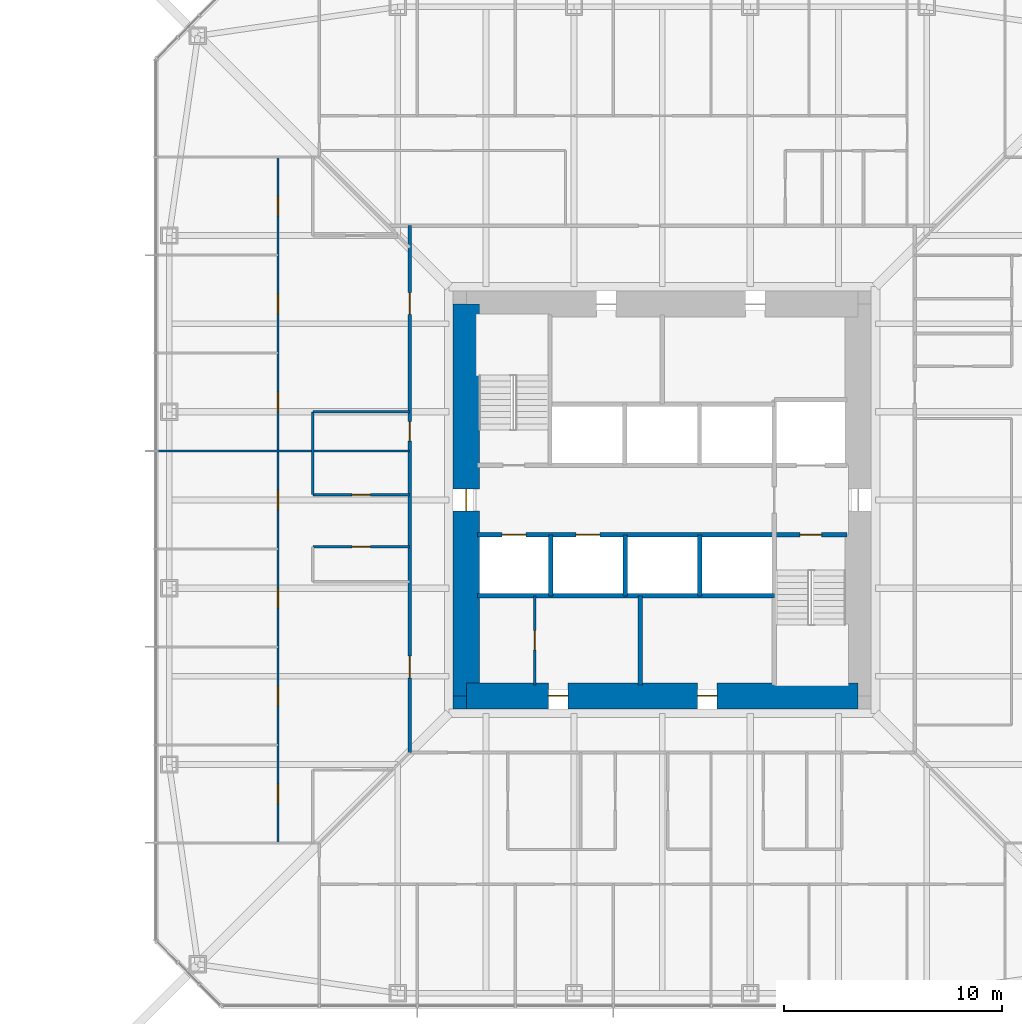
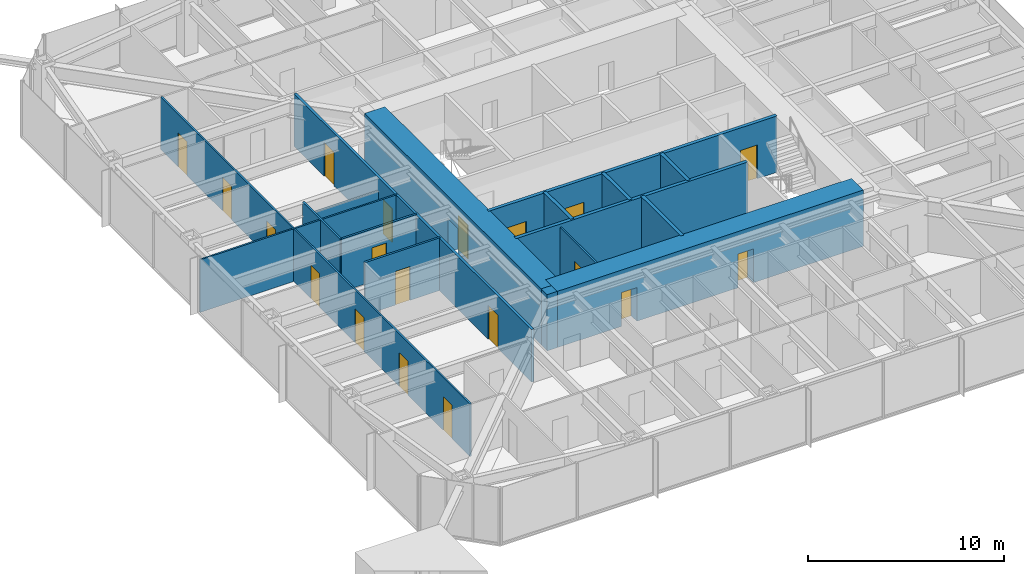
# One storey, part 15 of 26: 19 doors, 17 walls, 19 openings.
"""IFC4 building model written with IfcOpenShell, lengths in metres."""

import ifcopenshell
import ifcopenshell.guid

model = None  # the IFC model being written
_history = None  # IfcOwnerHistory: only IFC2X3 demands one
_inside = {}  # id of a spatial element -> (the spatial element, [elements in it])
_under = {}  # id of a project, library or spatial element -> (it, [spatial elements below it])
_declared = {}  # id of a project -> (the project, [libraries it declares])
_typed = {}  # id of a type object -> (the type object, [elements of that type])
_made_of = {}  # id of a material, layer set ... -> (it, [elements and type objects made of it])


def new_model(schema):
    """Start an empty IFC model of exactly this schema.

    Asked for "IFC4X3", IfcOpenShell would pick the latest addendum, in which some entities
    have other attributes; the version numbers below select the first issue.
    IFC2X3 requires an IfcOwnerHistory on every rooted entity: one is made here for all.
    """
    global model, _history
    if schema == "IFC4X3":
        model = ifcopenshell.file(schema_version=(4, 3, 0, 0))
    else:
        model = ifcopenshell.file(schema=schema)
    _inside.clear()
    _under.clear()
    _declared.clear()
    _typed.clear()
    _made_of.clear()
    _history = None
    if model.schema == "IFC2X3":
        org = make("IfcOrganization", Name="unknown")
        user = make(
            "IfcPersonAndOrganization",
            ThePerson=make("IfcPerson", FamilyName="unknown"),
            TheOrganization=org,
        )
        app = make(
            "IfcApplication",
            ApplicationDeveloper=org,
            Version="unknown",
            ApplicationFullName="unknown",
            ApplicationIdentifier="unknown",
        )
        _history = make(
            "IfcOwnerHistory",
            OwningUser=user,
            OwningApplication=app,
            ChangeAction="ADDED",
            CreationDate=0,
        )
    return model


def make(cls, **values):
    """One entity of the class cls with the attributes given. An attribute that is None is left unset."""
    return model.create_entity(
        cls, **{name: value for name, value in values.items() if value is not None}
    )


def rooted(cls, **values):
    """An entity with a GlobalId (a new one), such as an element, a storey or a relation."""
    return make(cls, GlobalId=ifcopenshell.guid.new(), OwnerHistory=_history, **values)


def si_unit(unit_type, name, prefix=None):
    """IfcSIUnit, for example si_unit("LENGTHUNIT", "METRE", prefix="MILLI")."""
    return make("IfcSIUnit", UnitType=unit_type, Prefix=prefix, Name=name)


def assignment(units):
    """IfcUnitAssignment: the units of a project."""
    return None if units is None else make("IfcUnitAssignment", Units=units)


def point(xyz):
    """IfcCartesianPoint."""
    return None if xyz is None else make("IfcCartesianPoint", Coordinates=xyz)


def direction(xyz):
    """IfcDirection."""
    return None if xyz is None else make("IfcDirection", DirectionRatios=xyz)


def frame(location, z_axis=None, x_axis=None):
    """IfcAxis2Placement3D, a coordinate frame: its origin and axes. An axis left out is left unset."""
    return make(
        "IfcAxis2Placement3D",
        Location=point(location),
        Axis=direction(z_axis),
        RefDirection=direction(x_axis),
    )


def frame_2d(location, x_axis=None):
    """IfcAxis2Placement2D, a coordinate frame in the plane: its origin and x axis."""
    return make(
        "IfcAxis2Placement2D", Location=point(location), RefDirection=direction(x_axis)
    )


def origin():
    """The frame at (0, 0, 0) with its axes left unset."""
    return frame((0.0, 0.0, 0.0))


def place(relative_to, where):
    """IfcLocalPlacement: puts the frame where relative to a parent placement (None: the world)."""
    return make(
        "IfcLocalPlacement", PlacementRelTo=relative_to, RelativePlacement=where
    )


def context(
    kind, dimensions, precision=None, world=None, true_north=None, identifier=None
):
    """IfcGeometricRepresentationContext, for example the 3D "Model" context."""
    return make(
        "IfcGeometricRepresentationContext",
        ContextIdentifier=identifier,
        ContextType=kind,
        CoordinateSpaceDimension=dimensions,
        Precision=precision,
        WorldCoordinateSystem=world,
        TrueNorth=true_north,
    )


def subcontext(parent, identifier, kind, view, scale=None):
    """IfcGeometricRepresentationSubContext, for example "Body" below "Model"."""
    return make(
        "IfcGeometricRepresentationSubContext",
        ContextIdentifier=identifier,
        ContextType=kind,
        ParentContext=parent,
        TargetScale=scale,
        TargetView=view,
    )


def project(units=None, contexts=None):
    """IfcProject with its units and contexts."""
    return rooted(
        "IfcProject",
        Name="project",
        RepresentationContexts=contexts,
        UnitsInContext=assignment(units),
    )


def spatial(cls, under=None, at=None, **own):
    """A site, building, storey or space (cls), placed at a placement, below another one or the project."""
    s = rooted(cls, ObjectPlacement=at, **own)
    if under is not None:
        _under.setdefault(under.id(), (under, []))[1].append(s)
    return s


def profile(cls, at=None, kind="AREA", **sizes):
    """A parametric profile (cls). Its sizes go by their IFC names, for example OverallWidth=200.0."""
    return make(cls, ProfileType=kind, Position=at, **sizes)


def rectangle(**sizes):
    """IfcRectangleProfileDef."""
    return profile("IfcRectangleProfileDef", **sizes)


def extrude(swept, where, along, depth):
    """IfcExtrudedAreaSolid: the profile swept, set in the frame where, extruded along a direction by depth."""
    return make(
        "IfcExtrudedAreaSolid",
        SweptArea=swept,
        Position=where,
        ExtrudedDirection=direction(along),
        Depth=depth,
    )


def shape(context_of_items, identifier, shape_type, items):
    """IfcShapeRepresentation: the items that make up one representation, for example the "Body"."""
    return make(
        "IfcShapeRepresentation",
        ContextOfItems=context_of_items,
        RepresentationIdentifier=identifier,
        RepresentationType=shape_type,
        Items=items,
    )


def material(Name=None, Category=None):
    """IfcMaterial."""
    return make("IfcMaterial", Name=Name, Category=Category)


def layer(
    of_material, thickness, ventilated=None, Name=None, Category=None, Priority=None
):
    """IfcMaterialLayer: one layer of a wall or slab, of a material (None: an air gap)."""
    return make(
        "IfcMaterialLayer",
        Material=of_material,
        LayerThickness=thickness,
        IsVentilated=ventilated,
        Name=Name,
        Category=Category,
        Priority=Priority,
    )


def layer_set(layers, Name=None):
    """IfcMaterialLayerSet."""
    return make("IfcMaterialLayerSet", MaterialLayers=layers, LayerSetName=Name)


def made_of(thing, what):
    """Note that an element or type object is made of a material, layer set ...; save() writes the relation."""
    if what is not None:
        _made_of.setdefault(what.id(), (what, []))[1].append(thing)
    return thing


def type_object(cls, material=None, **own):
    """A type object (cls), such as IfcWallType, which elements share."""
    return made_of(rooted(cls, **own), material)


def element(
    cls,
    number,
    at=None,
    inside=None,
    cuts=None,
    type_object=None,
    material=None,
    context=None,
    identifier="Body",
    shape_type=None,
    held_by="IfcProductDefinitionShape",
    body=None,
    shapes=None,
    **own,
):
    """One element of the class cls, such as IfcWall. Its Tag is "e" and its number.

    at: its placement. inside: the storey or other place that contains it. cuts: it is an
    opening in that element (IfcRelVoidsElement). A single representation is given by context,
    identifier, shape_type and body (its items); several are given by shapes. held_by: the class
    of the entity that holds the representations. save() writes the other relations.
    """
    e = rooted(cls, Tag="e%d" % number, ObjectPlacement=at, **own)
    if body is not None:
        shapes = [shape(context, identifier, shape_type, body)]
    if shapes is not None:
        e.Representation = make(held_by, Representations=shapes)
    if inside is not None:
        _inside.setdefault(inside.id(), (inside, []))[1].append(e)
    if cuts is not None:
        rooted(
            "IfcRelVoidsElement", RelatingBuildingElement=cuts, RelatedOpeningElement=e
        )
    if type_object is not None:
        _typed.setdefault(type_object.id(), (type_object, []))[1].append(e)
    return made_of(e, material)


def fill(opening, filler):
    """IfcRelFillsElement: the door or window that sits in an opening."""
    return rooted(
        "IfcRelFillsElement",
        RelatingOpeningElement=opening,
        RelatedBuildingElement=filler,
    )


def aggregate(whole, parts):
    """IfcRelAggregates: a whole, such as a stair, and the parts it consists of."""
    return rooted("IfcRelAggregates", RelatingObject=whole, RelatedObjects=parts)


def save(model, path):
    """Write the relations noted so far, then the file.

    IfcRelAggregates (storeys below a building ...), IfcRelContainedInSpatialStructure (elements
    in a storey), IfcRelDefinesByType, IfcRelAssociatesMaterial and IfcRelDeclares: one each for
    every whole, place, type object, material and project.
    """
    for whole, parts in _under.values():
        aggregate(whole, parts)
    for where, things in _inside.values():
        rooted(
            "IfcRelContainedInSpatialStructure",
            RelatedElements=things,
            RelatingStructure=where,
        )
    for kind, things in _typed.values():
        rooted("IfcRelDefinesByType", RelatedObjects=things, RelatingType=kind)
    for what, things in _made_of.values():
        rooted("IfcRelAssociatesMaterial", RelatedObjects=things, RelatingMaterial=what)
    for by, libraries in _declared.values():
        rooted("IfcRelDeclares", RelatingContext=by, RelatedDefinitions=libraries)
    model.write(path)


model = new_model("IFC4")

# Units and contexts
model_context = context("Model", 3, precision=1e-05, world=origin(), true_north=direction((0.0, 1.0)))
body_context = subcontext(model_context, "Body", "Model", "MODEL_VIEW")
ifc_project = project(units=[si_unit("LENGTHUNIT", "METRE"), si_unit("AREAUNIT", "SQUARE_METRE"), si_unit("VOLUMEUNIT", "CUBIC_METRE"), si_unit("PLANEANGLEUNIT", "RADIAN"), si_unit("MASSUNIT", "GRAM", prefix="KILO")], contexts=[model_context])

# Site, building, storey
site_placement = place(None, origin())
site = spatial("IfcSite", under=ifc_project, at=site_placement, CompositionType="ELEMENT")
building_placement = place(site_placement, origin())
building = spatial("IfcBuilding", under=site, at=building_placement, Name="Iwan Alto Co-Living Towers", CompositionType="ELEMENT")
storey_placement = place(building_placement, frame((0.0, 0.0, 57.0)))
storey = spatial("IfcBuildingStorey", under=building, at=storey_placement, Name="L15", CompositionType="ELEMENT", Elevation=57.0)

# Wall, openings, doors
ifc_material_1 = material(Name="Gypsum board")
ifc_layer_1 = layer(ifc_material_1, 0.02490234375, Name="Board", Category="Finish")
ifc_material_2 = material(Name="Steel ASTM A1003 ST33H cold-formed studs", Category="steel")
ifc_layer_2 = layer(ifc_material_2, 0.10009765625, Name="Studs", Category="Framing")
ifc_layer_3 = layer(ifc_material_1, 0.02490234375, Name="Board", Category="Finish")
ifc_layer_set_1 = layer_set([ifc_layer_1, ifc_layer_2, ifc_layer_3], Name="CORRIDOR WALL 150")
wall_type_1 = type_object("IfcWallType", Name="CORRIDOR WALL 150", PredefinedType="PARTITIONING", material=ifc_layer_set_1)
wall_1_placement = place(storey_placement, frame((-11.60009765625, -11.60009765625, 0.0), z_axis=(0.0, 0.0, 1.0), x_axis=(0.0, 1.0, 0.0)))
wall_1 = element("IfcWall", 1, at=wall_1_placement, inside=storey, type_object=wall_type_1, Name="Partition L15", PredefinedType="PARTITIONING", context=body_context, shape_type="SweptSolid", body=[
    extrude(rectangle(XDim=24.2001953125, YDim=0.14990234375, at=frame_2d((12.10009765625, 0.0))), origin(), (0.0, 0.0, 1.0), 3.27001953125),
])
opening_1_placement = place(wall_1_placement, frame((20.125, 0.0, 0.0)))
opening_1 = element("IfcOpeningElement", 2, at=opening_1_placement, cuts=wall_1, Name="Opening D3", PredefinedType="OPENING", context=body_context, shape_type="SweptSolid", body=[
    extrude(rectangle(XDim=1.0, YDim=2.10009765625, at=frame_2d((0.5, 1.050048828125))), frame((0.0, 0.0849609375, 0.0), z_axis=(0.0, -1.0, 0.0), x_axis=(1.0, 0.0, 0.0)), (0.0, 0.0, 1.0), 0.169921875),
])
opening_2_placement = place(wall_1_placement, frame((14.300048828125, 0.0, 0.0)))
opening_2 = element("IfcOpeningElement", 3, at=opening_2_placement, cuts=wall_1, Name="Opening D8", PredefinedType="OPENING", context=body_context, shape_type="SweptSolid", body=[
    extrude(rectangle(XDim=0.89990234375, YDim=2.10009765625, at=frame_2d((0.449951171875, 1.050048828125))), frame((0.0, 0.0849609375, 0.0), z_axis=(0.0, -1.0, 0.0), x_axis=(1.0, 0.0, 0.0)), (0.0, 0.0, 1.0), 0.169921875),
])
opening_3_placement = place(wall_1_placement, frame((3.425048828125, 0.0, 0.0)))
opening_3 = element("IfcOpeningElement", 4, at=opening_3_placement, cuts=wall_1, Name="Opening D3", PredefinedType="OPENING", context=body_context, shape_type="SweptSolid", body=[
    extrude(rectangle(XDim=1.0, YDim=2.10009765625, at=frame_2d((0.5, 1.050048828125))), frame((0.0, 0.0849609375, 0.0), z_axis=(0.0, -1.0, 0.0), x_axis=(1.0, 0.0, 0.0)), (0.0, 0.0, 1.0), 0.169921875),
])
ifc_material_3 = material(Name="Steel frame with timber leaf", Category="steel")
door_type_1 = type_object("IfcDoorType", Name="FLAT ENTRANCE DOOR FD30S 1000X2100", OperationType="SINGLE_SWING_LEFT", PredefinedType="DOOR", material=ifc_material_3)
door_1_placement = place(opening_1_placement, origin())
door_1 = element("IfcDoor", 5, at=door_1_placement, inside=storey, type_object=door_type_1, Name="Cluster lounge and shared kitchen door L15", OperationType="SINGLE_SWING_RIGHT", OverallHeight=2.10009765625, OverallWidth=1.0, PredefinedType="DOOR", context=body_context, shape_type="SweptSolid", body=[
    extrude(rectangle(XDim=1.0, YDim=2.10009765625, at=frame_2d((0.5, 1.050048828125))), frame((0.0, 0.02490234375, 0.0), z_axis=(0.0, -1.0, 0.0), x_axis=(1.0, 0.0, 0.0)), (0.0, 0.0, 1.0), 0.050048828125),
])
fill(opening_1, door_1)
door_2_placement = place(opening_3_placement, origin())
door_2 = element("IfcDoor", 6, at=door_2_placement, inside=storey, type_object=door_type_1, Name="Cluster lounge and shared kitchen door L15", OperationType="SINGLE_SWING_RIGHT", OverallHeight=2.10009765625, OverallWidth=1.0, PredefinedType="DOOR", context=body_context, shape_type="SweptSolid", body=[
    extrude(rectangle(XDim=1.0, YDim=2.10009765625, at=frame_2d((0.5, 1.050048828125))), frame((0.0, 0.02490234375, 0.0), z_axis=(0.0, -1.0, 0.0), x_axis=(1.0, 0.0, 0.0)), (0.0, 0.0, 1.0), 0.050048828125),
])
fill(opening_3, door_2)
ifc_material_4 = material(Name="Steel frame with timber leaf", Category="steel")
door_type_2 = type_object("IfcDoorType", Name="RISER DOOR FD120 900X2100", OperationType="SINGLE_SWING_LEFT", PredefinedType="DOOR", material=ifc_material_4)
door_3_placement = place(opening_2_placement, origin())
door_3 = element("IfcDoor", 7, at=door_3_placement, inside=storey, type_object=door_type_2, Name="Cleaner's cupboard door L15", OperationType="SINGLE_SWING_LEFT", OverallHeight=2.10009765625, OverallWidth=0.89990234375, PredefinedType="DOOR", context=body_context, shape_type="SweptSolid", body=[
    extrude(rectangle(XDim=0.89990234375, YDim=2.10009765625, at=frame_2d((0.449951171875, 1.050048828125))), frame((0.0, 0.02490234375, 0.0), z_axis=(0.0, -1.0, 0.0), x_axis=(1.0, 0.0, 0.0)), (0.0, 0.0, 1.0), 0.050048828125),
])
fill(opening_2, door_3)

# Walls
ifc_layer_4 = layer(ifc_material_1, 0.012451171875, Name="Board", Category="Finish")
ifc_layer_5 = layer(ifc_material_2, 0.074951171875, Name="Studs", Category="Framing")
ifc_layer_6 = layer(ifc_material_1, 0.012451171875, Name="Board", Category="Finish")
ifc_layer_set_2 = layer_set([ifc_layer_4, ifc_layer_5, ifc_layer_6], Name="PARTITION 100")
wall_type_2 = type_object("IfcWallType", Name="PARTITION 100", PredefinedType="PARTITIONING", material=ifc_layer_set_2)
wall_2_placement = place(storey_placement, frame((-23.18994140625, 2.25, 0.0), z_axis=(0.0, 0.0, 1.0), x_axis=(1.0, 0.0, 0.0)))
element("IfcWall", 8, at=wall_2_placement, inside=storey, type_object=wall_type_2, Name="Partition L15", PredefinedType="PARTITIONING", context=body_context, shape_type="SweptSolid", body=[
    extrude(rectangle(XDim=11.58984375, YDim=0.10009765625, at=frame_2d((5.794921875, 0.0))), origin(), (0.0, 0.0, 1.0), 3.27001953125),
])
wall_3_placement = place(storey_placement, frame((-16.050048828125, 4.050048828125, 0.0), z_axis=(0.0, 0.0, 1.0), x_axis=(1.0, 0.0, 0.0)))
element("IfcWall", 9, at=wall_3_placement, inside=storey, type_object=wall_type_2, Name="Partition L15", PredefinedType="PARTITIONING", context=body_context, shape_type="SweptSolid", body=[
    extrude(rectangle(XDim=4.449951171875, YDim=0.10009765625, at=frame_2d((2.22509765625, 0.0))), origin(), (0.0, 0.0, 1.0), 2.42919921875),
])

# Wall, opening, door
wall_4_placement = place(storey_placement, frame((-5.85009765625, -8.489990234375, 0.0), z_axis=(0.0, 0.0, 1.0), x_axis=(0.0, 1.0, 0.0)))
wall_4 = element("IfcWall", 10, at=wall_4_placement, inside=storey, type_object=wall_type_2, Name="Partition L15", PredefinedType="PARTITIONING", context=body_context, shape_type="SweptSolid", body=[
    extrude(rectangle(XDim=4.090087890625, YDim=0.10009765625, at=frame_2d((2.044921875, 0.0))), origin(), (0.0, 0.0, 1.0), 3.300048828125),
])
opening_4_placement = place(wall_4_placement, frame((1.594970703125, 0.0, 0.0)))
opening_4 = element("IfcOpeningElement", 11, at=opening_4_placement, cuts=wall_4, Name="Opening D16", PredefinedType="OPENING", context=body_context, shape_type="SweptSolid", body=[
    extrude(rectangle(XDim=0.89990234375, YDim=2.10009765625, at=frame_2d((0.449951171875, 1.050048828125))), frame((0.0, 0.06005859375, 0.0), z_axis=(0.0, -1.0, 0.0), x_axis=(1.0, 0.0, 0.0)), (0.0, 0.0, 1.0), 0.1201171875),
])
ifc_material_5 = material(Name="Timber leaf in steel frame", Category="steel")
door_type_3 = type_object("IfcDoorType", Name="CUPBOARD SLIDING DOOR 900X2100", OperationType="SLIDING_TO_LEFT", PredefinedType="DOOR", material=ifc_material_5)
door_4_placement = place(opening_4_placement, origin())
door_4 = element("IfcDoor", 12, at=door_4_placement, inside=storey, type_object=door_type_3, Name="Bulky waste store door L15", OperationType="SLIDING_TO_LEFT", OverallHeight=2.10009765625, OverallWidth=0.89990234375, PredefinedType="DOOR", context=body_context, shape_type="SweptSolid", body=[
    extrude(rectangle(XDim=0.89990234375, YDim=2.10009765625, at=frame_2d((0.449951171875, 1.050048828125))), frame((0.0, 0.02490234375, 0.0), z_axis=(0.0, -1.0, 0.0), x_axis=(1.0, 0.0, 0.0)), (0.0, 0.0, 1.0), 0.050048828125),
])
fill(opening_4, door_4)

# Wall, openings, doors
wall_5_placement = place(storey_placement, frame((-17.64990234375, -15.75, 0.0), z_axis=(0.0, 0.0, 1.0), x_axis=(0.0, 1.0, 0.0)))
wall_5 = element("IfcWall", 13, at=wall_5_placement, inside=storey, type_object=wall_type_2, Name="Partition L15", PredefinedType="PARTITIONING", context=body_context, shape_type="SweptSolid", body=[
    extrude(rectangle(XDim=31.5, YDim=0.10009765625, at=frame_2d((15.75, 0.0))), origin(), (0.0, 0.0, 1.0), 3.27001953125),
])
opening_5_placement = place(wall_5_placement, frame((28.800048828125, 0.0, 0.0)))
opening_5 = element("IfcOpeningElement", 14, at=opening_5_placement, cuts=wall_5, Name="Opening D1", PredefinedType="OPENING", context=body_context, shape_type="SweptSolid", body=[
    extrude(rectangle(XDim=0.89990234375, YDim=2.10009765625, at=frame_2d((0.449951171875, 1.050048828125))), frame((0.0, 0.06005859375, 0.0), z_axis=(0.0, -1.0, 0.0), x_axis=(1.0, 0.0, 0.0)), (0.0, 0.0, 1.0), 0.1201171875),
])
opening_6_placement = place(wall_5_placement, frame((24.300048828125, 0.0, 0.0)))
opening_6 = element("IfcOpeningElement", 15, at=opening_6_placement, cuts=wall_5, Name="Opening D1", PredefinedType="OPENING", context=body_context, shape_type="SweptSolid", body=[
    extrude(rectangle(XDim=0.89990234375, YDim=2.10009765625, at=frame_2d((0.449951171875, 1.050048828125))), frame((0.0, 0.06005859375, 0.0), z_axis=(0.0, -1.0, 0.0), x_axis=(1.0, 0.0, 0.0)), (0.0, 0.0, 1.0), 0.1201171875),
])
opening_7_placement = place(wall_5_placement, frame((19.800048828125, 0.0, 0.0)))
opening_7 = element("IfcOpeningElement", 16, at=opening_7_placement, cuts=wall_5, Name="Opening D1", PredefinedType="OPENING", context=body_context, shape_type="SweptSolid", body=[
    extrude(rectangle(XDim=0.89990234375, YDim=2.10009765625, at=frame_2d((0.449951171875, 1.050048828125))), frame((0.0, 0.06005859375, 0.0), z_axis=(0.0, -1.0, 0.0), x_axis=(1.0, 0.0, 0.0)), (0.0, 0.0, 1.0), 0.1201171875),
])
opening_8_placement = place(wall_5_placement, frame((15.300048828125, 0.0, 0.0)))
opening_8 = element("IfcOpeningElement", 17, at=opening_8_placement, cuts=wall_5, Name="Opening D1", PredefinedType="OPENING", context=body_context, shape_type="SweptSolid", body=[
    extrude(rectangle(XDim=0.89990234375, YDim=2.10009765625, at=frame_2d((0.449951171875, 1.050048828125))), frame((0.0, 0.06005859375, 0.0), z_axis=(0.0, -1.0, 0.0), x_axis=(1.0, 0.0, 0.0)), (0.0, 0.0, 1.0), 0.1201171875),
])
opening_9_placement = place(wall_5_placement, frame((10.800048828125, 0.0, 0.0)))
opening_9 = element("IfcOpeningElement", 18, at=opening_9_placement, cuts=wall_5, Name="Opening D1", PredefinedType="OPENING", context=body_context, shape_type="SweptSolid", body=[
    extrude(rectangle(XDim=0.89990234375, YDim=2.10009765625, at=frame_2d((0.449951171875, 1.050048828125))), frame((0.0, 0.06005859375, 0.0), z_axis=(0.0, -1.0, 0.0), x_axis=(1.0, 0.0, 0.0)), (0.0, 0.0, 1.0), 0.1201171875),
])
opening_10_placement = place(wall_5_placement, frame((6.300048828125, 0.0, 0.0)))
opening_10 = element("IfcOpeningElement", 19, at=opening_10_placement, cuts=wall_5, Name="Opening D1", PredefinedType="OPENING", context=body_context, shape_type="SweptSolid", body=[
    extrude(rectangle(XDim=0.89990234375, YDim=2.10009765625, at=frame_2d((0.449951171875, 1.050048828125))), frame((0.0, 0.06005859375, 0.0), z_axis=(0.0, -1.0, 0.0), x_axis=(1.0, 0.0, 0.0)), (0.0, 0.0, 1.0), 0.1201171875),
])
opening_11_placement = place(wall_5_placement, frame((1.800048828125, 0.0, 0.0)))
opening_11 = element("IfcOpeningElement", 20, at=opening_11_placement, cuts=wall_5, Name="Opening D1", PredefinedType="OPENING", context=body_context, shape_type="SweptSolid", body=[
    extrude(rectangle(XDim=0.89990234375, YDim=2.10009765625, at=frame_2d((0.449951171875, 1.050048828125))), frame((0.0, 0.06005859375, 0.0), z_axis=(0.0, -1.0, 0.0), x_axis=(1.0, 0.0, 0.0)), (0.0, 0.0, 1.0), 0.1201171875),
])
ifc_material_6 = material(Name="Timber leaf in steel frame", Category="steel")
door_type_4 = type_object("IfcDoorType", Name="BEDROOM DOOR 900X2100", OperationType="SINGLE_SWING_LEFT", PredefinedType="DOOR", material=ifc_material_6)
door_5_placement = place(opening_5_placement, frame((0.89990234375, 0.0, 0.0), z_axis=(0.0, 0.0, 1.0), x_axis=(-1.0, 0.0, 0.0)))
door_5 = element("IfcDoor", 21, at=door_5_placement, inside=storey, type_object=door_type_4, Name="Study bedroom door L15", OperationType="SINGLE_SWING_LEFT", OverallHeight=2.10009765625, OverallWidth=0.89990234375, PredefinedType="DOOR", context=body_context, shape_type="SweptSolid", body=[
    extrude(rectangle(XDim=0.89990234375, YDim=2.10009765625, at=frame_2d((0.449951171875, 1.050048828125))), frame((0.0, 0.02490234375, 0.0), z_axis=(0.0, -1.0, 0.0), x_axis=(1.0, 0.0, 0.0)), (0.0, 0.0, 1.0), 0.050048828125),
])
fill(opening_5, door_5)
door_6_placement = place(opening_6_placement, frame((0.89990234375, 0.0, 0.0), z_axis=(0.0, 0.0, 1.0), x_axis=(-1.0, 0.0, 0.0)))
door_6 = element("IfcDoor", 22, at=door_6_placement, inside=storey, type_object=door_type_4, Name="Study bedroom door L15", OperationType="SINGLE_SWING_RIGHT", OverallHeight=2.10009765625, OverallWidth=0.89990234375, PredefinedType="DOOR", context=body_context, shape_type="SweptSolid", body=[
    extrude(rectangle(XDim=0.89990234375, YDim=2.10009765625, at=frame_2d((0.449951171875, 1.050048828125))), frame((0.0, 0.02490234375, 0.0), z_axis=(0.0, -1.0, 0.0), x_axis=(1.0, 0.0, 0.0)), (0.0, 0.0, 1.0), 0.050048828125),
])
fill(opening_6, door_6)
door_7_placement = place(opening_7_placement, frame((0.89990234375, 0.0, 0.0), z_axis=(0.0, 0.0, 1.0), x_axis=(-1.0, 0.0, 0.0)))
door_7 = element("IfcDoor", 23, at=door_7_placement, inside=storey, type_object=door_type_4, Name="Study bedroom door L15", OperationType="SINGLE_SWING_RIGHT", OverallHeight=2.10009765625, OverallWidth=0.89990234375, PredefinedType="DOOR", context=body_context, shape_type="SweptSolid", body=[
    extrude(rectangle(XDim=0.89990234375, YDim=2.10009765625, at=frame_2d((0.449951171875, 1.050048828125))), frame((0.0, 0.02490234375, 0.0), z_axis=(0.0, -1.0, 0.0), x_axis=(1.0, 0.0, 0.0)), (0.0, 0.0, 1.0), 0.050048828125),
])
fill(opening_7, door_7)
door_8_placement = place(opening_8_placement, frame((0.89990234375, 0.0, 0.0), z_axis=(0.0, 0.0, 1.0), x_axis=(-1.0, 0.0, 0.0)))
door_8 = element("IfcDoor", 24, at=door_8_placement, inside=storey, type_object=door_type_4, Name="Study bedroom door L15", OperationType="SINGLE_SWING_LEFT", OverallHeight=2.10009765625, OverallWidth=0.89990234375, PredefinedType="DOOR", context=body_context, shape_type="SweptSolid", body=[
    extrude(rectangle(XDim=0.89990234375, YDim=2.10009765625, at=frame_2d((0.449951171875, 1.050048828125))), frame((0.0, 0.02490234375, 0.0), z_axis=(0.0, -1.0, 0.0), x_axis=(1.0, 0.0, 0.0)), (0.0, 0.0, 1.0), 0.050048828125),
])
fill(opening_8, door_8)
door_9_placement = place(opening_9_placement, frame((0.89990234375, 0.0, 0.0), z_axis=(0.0, 0.0, 1.0), x_axis=(-1.0, 0.0, 0.0)))
door_9 = element("IfcDoor", 25, at=door_9_placement, inside=storey, type_object=door_type_4, Name="Study bedroom door L15", OperationType="SINGLE_SWING_LEFT", OverallHeight=2.10009765625, OverallWidth=0.89990234375, PredefinedType="DOOR", context=body_context, shape_type="SweptSolid", body=[
    extrude(rectangle(XDim=0.89990234375, YDim=2.10009765625, at=frame_2d((0.449951171875, 1.050048828125))), frame((0.0, 0.02490234375, 0.0), z_axis=(0.0, -1.0, 0.0), x_axis=(1.0, 0.0, 0.0)), (0.0, 0.0, 1.0), 0.050048828125),
])
fill(opening_9, door_9)
door_10_placement = place(opening_10_placement, frame((0.89990234375, 0.0, 0.0), z_axis=(0.0, 0.0, 1.0), x_axis=(-1.0, 0.0, 0.0)))
door_10 = element("IfcDoor", 26, at=door_10_placement, inside=storey, type_object=door_type_4, Name="Study bedroom door L15", OperationType="SINGLE_SWING_RIGHT", OverallHeight=2.10009765625, OverallWidth=0.89990234375, PredefinedType="DOOR", context=body_context, shape_type="SweptSolid", body=[
    extrude(rectangle(XDim=0.89990234375, YDim=2.10009765625, at=frame_2d((0.449951171875, 1.050048828125))), frame((0.0, 0.02490234375, 0.0), z_axis=(0.0, -1.0, 0.0), x_axis=(1.0, 0.0, 0.0)), (0.0, 0.0, 1.0), 0.050048828125),
])
fill(opening_10, door_10)
door_11_placement = place(opening_11_placement, frame((0.89990234375, 0.0, 0.0), z_axis=(0.0, 0.0, 1.0), x_axis=(-1.0, 0.0, 0.0)))
door_11 = element("IfcDoor", 27, at=door_11_placement, inside=storey, type_object=door_type_4, Name="Study bedroom door L15", OperationType="SINGLE_SWING_RIGHT", OverallHeight=2.10009765625, OverallWidth=0.89990234375, PredefinedType="DOOR", context=body_context, shape_type="SweptSolid", body=[
    extrude(rectangle(XDim=0.89990234375, YDim=2.10009765625, at=frame_2d((0.449951171875, 1.050048828125))), frame((0.0, 0.02490234375, 0.0), z_axis=(0.0, -1.0, 0.0), x_axis=(1.0, 0.0, 0.0)), (0.0, 0.0, 1.0), 0.050048828125),
])
fill(opening_11, door_11)

# Wall
ifc_material_7 = material(Name="Concrete f'c 70 MPa", Category="concrete")
ifc_layer_7 = layer(ifc_material_7, 0.199951171875)
ifc_layer_set_3 = layer_set([ifc_layer_7], Name="SHAFT WALL 200")
wall_type_3 = type_object("IfcWallType", Name="SHAFT WALL 200", PredefinedType="SOLIDWALL", material=ifc_layer_set_3)
wall_6_placement = place(storey_placement, frame((-8.489990234375, -4.39990234375, 0.0), z_axis=(0.0, 0.0, 1.0), x_axis=(1.0, 0.0, 0.0)))
element("IfcWall", 28, at=wall_6_placement, inside=storey, type_object=wall_type_3, Name="Shaft wall L15", PredefinedType="SOLIDWALL", context=body_context, shape_type="SweptSolid", body=[
    extrude(rectangle(XDim=13.639892578125, YDim=0.199951171875, at=frame_2d((6.81982421875, 0.0))), origin(), (0.0, 0.0, 1.0), 3.5),
])

# Wall, openings, doors
wall_7_placement = place(storey_placement, frame((-8.489990234375, -1.60009765625, 0.0), z_axis=(0.0, 0.0, 1.0), x_axis=(1.0, 0.0, 0.0)))
wall_7 = element("IfcWall", 29, at=wall_7_placement, inside=storey, type_object=wall_type_3, Name="Shaft wall L15", PredefinedType="SOLIDWALL", context=body_context, shape_type="SweptSolid", body=[
    extrude(rectangle(XDim=16.97998046875, YDim=0.199951171875, at=frame_2d((8.489990234375, 0.0))), origin(), (0.0, 0.0, 1.0), 3.5),
])
opening_12_placement = place(wall_7_placement, frame((14.81005859375, 0.0, 0.0)))
opening_12 = element("IfcOpeningElement", 30, at=opening_12_placement, cuts=wall_7, Name="Opening D5", PredefinedType="OPENING", context=body_context, shape_type="SweptSolid", body=[
    extrude(rectangle(XDim=1.0, YDim=2.10009765625, at=frame_2d((0.5, 1.050048828125))), frame((0.0, 0.10986328125, 0.0), z_axis=(0.0, -1.0, 0.0), x_axis=(1.0, 0.0, 0.0)), (0.0, 0.0, 1.0), 0.219970703125),
])
opening_13_placement = place(wall_7_placement, frame((1.133056640625, 0.0, 0.0)))
opening_13 = element("IfcOpeningElement", 31, at=opening_13_placement, cuts=wall_7, Name="Opening LD", PredefinedType="OPENING", context=body_context, shape_type="SweptSolid", body=[
    extrude(rectangle(XDim=1.10009765625, YDim=2.10009765625, at=frame_2d((0.550048828125, 1.050048828125))), frame((0.0, 0.10986328125, 0.0), z_axis=(0.0, -1.0, 0.0), x_axis=(1.0, 0.0, 0.0)), (0.0, 0.0, 1.0), 0.219970703125),
])
opening_14_placement = place(wall_7_placement, frame((4.528076171875, 0.0, 0.0)))
opening_14 = element("IfcOpeningElement", 32, at=opening_14_placement, cuts=wall_7, Name="Opening LD", PredefinedType="OPENING", context=body_context, shape_type="SweptSolid", body=[
    extrude(rectangle(XDim=1.10009765625, YDim=2.10009765625, at=frame_2d((0.550048828125, 1.050048828125))), frame((0.0, 0.10986328125, 0.0), z_axis=(0.0, -1.0, 0.0), x_axis=(1.0, 0.0, 0.0)), (0.0, 0.0, 1.0), 0.219970703125),
])
ifc_material_8 = material(Name="Steel frame with timber leaf", Category="steel")
door_type_5 = type_object("IfcDoorType", Name="LIFT LANDING DOOR 1100X2100", OperationType="DOUBLE_DOOR_SLIDING", PredefinedType="DOOR", material=ifc_material_8)
door_12_placement = place(opening_13_placement, origin())
door_12 = element("IfcDoor", 33, at=door_12_placement, inside=storey, type_object=door_type_5, Name="Lift P1-1 landing door L15", OperationType="DOUBLE_DOOR_SLIDING", OverallHeight=2.10009765625, OverallWidth=1.10009765625, PredefinedType="DOOR", context=body_context, shape_type="SweptSolid", body=[
    extrude(rectangle(XDim=1.10009765625, YDim=2.10009765625, at=frame_2d((0.550048828125, 1.050048828125))), frame((0.0, 0.02490234375, 0.0), z_axis=(0.0, -1.0, 0.0), x_axis=(1.0, 0.0, 0.0)), (0.0, 0.0, 1.0), 0.050048828125),
])
fill(opening_13, door_12)
door_13_placement = place(opening_14_placement, origin())
door_13 = element("IfcDoor", 34, at=door_13_placement, inside=storey, type_object=door_type_5, Name="Lift P1-2 landing door L15", OperationType="DOUBLE_DOOR_SLIDING", OverallHeight=2.10009765625, OverallWidth=1.10009765625, PredefinedType="DOOR", context=body_context, shape_type="SweptSolid", body=[
    extrude(rectangle(XDim=1.10009765625, YDim=2.10009765625, at=frame_2d((0.550048828125, 1.050048828125))), frame((0.0, 0.02490234375, 0.0), z_axis=(0.0, -1.0, 0.0), x_axis=(1.0, 0.0, 0.0)), (0.0, 0.0, 1.0), 0.050048828125),
])
fill(opening_14, door_13)
ifc_material_9 = material(Name="Steel frame with timber leaf", Category="steel")
door_type_6 = type_object("IfcDoorType", Name="STAIR DOOR FD120S 1000X2100", OperationType="SINGLE_SWING_LEFT", PredefinedType="DOOR", material=ifc_material_9)
door_14_placement = place(opening_12_placement, frame((1.0, 0.0, 0.0), z_axis=(0.0, 0.0, 1.0), x_axis=(-1.0, 0.0, 0.0)))
door_14 = element("IfcDoor", 35, at=door_14_placement, inside=storey, type_object=door_type_6, Name="Stair S2 door L15", OperationType="SINGLE_SWING_RIGHT", OverallHeight=2.10009765625, OverallWidth=1.0, PredefinedType="DOOR", context=body_context, shape_type="SweptSolid", body=[
    extrude(rectangle(XDim=1.0, YDim=2.10009765625, at=frame_2d((0.5, 1.050048828125))), frame((0.0, 0.02490234375, 0.0), z_axis=(0.0, -1.0, 0.0), x_axis=(1.0, 0.0, 0.0)), (0.0, 0.0, 1.0), 0.050048828125),
])
fill(opening_12, door_14)

# Walls
wall_8_placement = place(storey_placement, frame((1.72509765625, -4.39990234375, 0.0), z_axis=(0.0, 0.0, 1.0), x_axis=(0.0, 1.0, 0.0)))
element("IfcWall", 36, at=wall_8_placement, inside=storey, type_object=wall_type_3, Name="Shaft wall L15", PredefinedType="SOLIDWALL", context=body_context, shape_type="SweptSolid", body=[
    extrude(rectangle(XDim=2.7998046875, YDim=0.199951171875, at=frame_2d((1.39990234375, 0.0))), origin(), (0.0, 0.0, 1.0), 3.5),
])
wall_9_placement = place(storey_placement, frame((-1.0, -8.489990234375, 0.0), z_axis=(0.0, 0.0, 1.0), x_axis=(0.0, 1.0, 0.0)))
element("IfcWall", 37, at=wall_9_placement, inside=storey, type_object=wall_type_3, Name="Shaft wall L15", PredefinedType="SOLIDWALL", context=body_context, shape_type="SweptSolid", body=[
    extrude(rectangle(XDim=4.090087890625, YDim=0.199951171875, at=frame_2d((2.044921875, 0.0))), origin(), (0.0, 0.0, 1.0), 3.5),
])
for number, where, z_axis, x_axis, name in (
    (38, (-1.699951171875, -4.39990234375, 0.0), (0.0, 0.0, 1.0), (0.0, 1.0, 0.0), "Shaft wall L15"),
    (39, (-5.125, -4.39990234375, 0.0), (0.0, 0.0, 1.0), (0.0, 1.0, 0.0), "Shaft wall L15"),
):
    element("IfcWall", number, at=place(storey_placement, frame(where, z_axis=z_axis, x_axis=x_axis)), inside=storey, type_object=wall_type_3, Name=name, PredefinedType="SOLIDWALL", context=body_context, shape_type="SweptSolid", body=[
        extrude(rectangle(XDim=2.7998046875, YDim=0.199951171875, at=frame_2d((1.39990234375, 0.0))), origin(), (0.0, 0.0, 1.0), 3.5),
    ])
ifc_material_10 = material(Name="Concrete f'c 70 MPa", Category="concrete")
ifc_layer_8 = layer(ifc_material_10, 0.60009765625)
ifc_layer_set_4 = layer_set([ifc_layer_8], Name="T1 CORE CORNER FILL 600")
wall_type_4 = type_object("IfcWallType", Name="T1 CORE CORNER FILL 600", PredefinedType="SOLIDWALL", material=ifc_layer_set_4)
wall_10_placement = place(storey_placement, frame((-9.60009765625, -9.300048828125, 0.0), z_axis=(0.0, 0.0, 1.0), x_axis=(1.0, 0.0, 0.0)))
element("IfcWall", 40, at=wall_10_placement, inside=storey, type_object=wall_type_4, Name="T1 core corner SW L15", PredefinedType="SOLIDWALL", context=body_context, shape_type="SweptSolid", body=[
    extrude(rectangle(XDim=0.60009765625, YDim=0.60009765625, at=frame_2d((0.300048828125, 0.0))), origin(), (0.0, 0.0, 1.0), 3.5),
])

# Wall, openings, doors
ifc_material_11 = material(Name="Concrete f'c 70 MPa", Category="concrete")
ifc_layer_9 = layer(ifc_material_11, 1.199951171875)
ifc_layer_set_5 = layer_set([ifc_layer_9], Name="T1 CORE WALL 1200")
wall_type_5 = type_object("IfcWallType", Name="T1 CORE WALL 1200", PredefinedType="SHEAR", material=ifc_layer_set_5)
wall_11_placement = place(storey_placement, frame((-9.0, -9.0, 0.0), z_axis=(0.0, 0.0, 1.0), x_axis=(1.0, 0.0, 0.0)))
wall_11 = element("IfcWall", 41, at=wall_11_placement, inside=storey, type_object=wall_type_5, Name="T1 core wall S L15", PredefinedType="SHEAR", context=body_context, shape_type="SweptSolid", body=[
    extrude(rectangle(XDim=18.0, YDim=1.199951171875, at=frame_2d((9.0, 0.0))), origin(), (0.0, 0.0, 1.0), 3.5),
])
opening_15_placement = place(wall_11_placement, frame((3.77490234375, 0.0, 0.0)))
opening_15 = element("IfcOpeningElement", 42, at=opening_15_placement, cuts=wall_11, Name="Opening D8", PredefinedType="OPENING", context=body_context, shape_type="SweptSolid", body=[
    extrude(rectangle(XDim=0.89990234375, YDim=2.10009765625, at=frame_2d((0.449951171875, 1.050048828125))), frame((0.0, 0.60986328125, 0.0), z_axis=(0.0, -1.0, 0.0), x_axis=(1.0, 0.0, 0.0)), (0.0, 0.0, 1.0), 1.219970703125),
])
opening_16_placement = place(wall_11_placement, frame((10.625, 0.0, 0.0)))
opening_16 = element("IfcOpeningElement", 43, at=opening_16_placement, cuts=wall_11, Name="Opening D8", PredefinedType="OPENING", context=body_context, shape_type="SweptSolid", body=[
    extrude(rectangle(XDim=0.89990234375, YDim=2.10009765625, at=frame_2d((0.449951171875, 1.050048828125))), frame((0.0, 0.60986328125, 0.0), z_axis=(0.0, -1.0, 0.0), x_axis=(1.0, 0.0, 0.0)), (0.0, 0.0, 1.0), 1.219970703125),
])
door_15_placement = place(opening_15_placement, origin())
door_15 = element("IfcDoor", 44, at=door_15_placement, inside=storey, type_object=door_type_2, Name="Refuse room core door L15", OperationType="SINGLE_SWING_LEFT", OverallHeight=2.10009765625, OverallWidth=0.89990234375, PredefinedType="DOOR", context=body_context, shape_type="SweptSolid", body=[
    extrude(rectangle(XDim=0.89990234375, YDim=2.10009765625, at=frame_2d((0.449951171875, 1.050048828125))), frame((0.0, 0.02490234375, 0.0), z_axis=(0.0, -1.0, 0.0), x_axis=(1.0, 0.0, 0.0)), (0.0, 0.0, 1.0), 0.050048828125),
])
fill(opening_15, door_15)
door_16_placement = place(opening_16_placement, origin())
door_16 = element("IfcDoor", 45, at=door_16_placement, inside=storey, type_object=door_type_2, Name="Telecom riser core door L15", OperationType="SINGLE_SWING_LEFT", OverallHeight=2.10009765625, OverallWidth=0.89990234375, PredefinedType="DOOR", context=body_context, shape_type="SweptSolid", body=[
    extrude(rectangle(XDim=0.89990234375, YDim=2.10009765625, at=frame_2d((0.449951171875, 1.050048828125))), frame((0.0, 0.02490234375, 0.0), z_axis=(0.0, -1.0, 0.0), x_axis=(1.0, 0.0, 0.0)), (0.0, 0.0, 1.0), 0.050048828125),
])
fill(opening_16, door_16)

# Wall, opening, door
wall_12_placement = place(storey_placement, frame((-9.0, 9.0, 0.0), z_axis=(0.0, 0.0, 1.0), x_axis=(0.0, -1.0, 0.0)))
wall_12 = element("IfcWall", 46, at=wall_12_placement, inside=storey, type_object=wall_type_5, Name="T1 core wall W L15", PredefinedType="SHEAR", context=body_context, shape_type="SweptSolid", body=[
    extrude(rectangle(XDim=18.0, YDim=1.199951171875, at=frame_2d((9.0, 0.0))), origin(), (0.0, 0.0, 1.0), 3.5),
])
opening_17_placement = place(wall_12_placement, frame((8.5, 0.0, 0.0)))
opening_17 = element("IfcOpeningElement", 47, at=opening_17_placement, cuts=wall_12, Name="Opening D7", PredefinedType="OPENING", context=body_context, shape_type="SweptSolid", body=[
    extrude(rectangle(XDim=1.0, YDim=2.10009765625, at=frame_2d((0.5, 1.050048828125))), frame((0.0, 0.60986328125, 0.0), z_axis=(0.0, -1.0, 0.0), x_axis=(1.0, 0.0, 0.0)), (0.0, 0.0, 1.0), 1.219970703125),
])
ifc_material_12 = material(Name="Steel frame with timber leaf", Category="steel")
door_type_7 = type_object("IfcDoorType", Name="CORE DOOR FD120S 1000X2100", OperationType="SINGLE_SWING_LEFT", PredefinedType="DOOR", material=ifc_material_12)
door_17_placement = place(opening_17_placement, origin())
door_17 = element("IfcDoor", 48, at=door_17_placement, inside=storey, type_object=door_type_7, Name="Lift lobby core door L15", OperationType="SINGLE_SWING_RIGHT", OverallHeight=2.10009765625, OverallWidth=1.0, PredefinedType="DOOR", context=body_context, shape_type="SweptSolid", body=[
    extrude(rectangle(XDim=1.0, YDim=2.10009765625, at=frame_2d((0.5, 1.050048828125))), frame((0.0, 0.02490234375, 0.0), z_axis=(0.0, -1.0, 0.0), x_axis=(1.0, 0.0, 0.0)), (0.0, 0.0, 1.0), 0.050048828125),
])
fill(opening_17, door_17)

ifc_material_13 = material(Name="Cement board")
ifc_layer_10 = layer(ifc_material_13, 0.012451171875, Name="Board", Category="Finish")
ifc_layer_11 = layer(ifc_material_2, 0.094970703125, Name="Studs", Category="Framing")
ifc_layer_12 = layer(ifc_material_13, 0.012451171875, Name="Board", Category="Finish")
ifc_layer_set_6 = layer_set([ifc_layer_10, ifc_layer_11, ifc_layer_12], Name="WET AREA PARTITION 120")
wall_type_6 = type_object("IfcWallType", Name="WET AREA PARTITION 120", PredefinedType="PARTITIONING", material=ifc_layer_set_6)
wall_13_placement = place(storey_placement, frame((-16.050048828125, -2.14990234375, 0.0), z_axis=(0.0, 0.0, 1.0), x_axis=(1.0, 0.0, 0.0)))
wall_13 = element("IfcWall", 49, at=wall_13_placement, inside=storey, type_object=wall_type_6, Name="Partition L15", PredefinedType="PARTITIONING", context=body_context, shape_type="SweptSolid", body=[
    extrude(rectangle(XDim=4.449951171875, YDim=0.1201171875, at=frame_2d((2.22509765625, 0.0))), origin(), (0.0, 0.0, 1.0), 3.27001953125),
])
opening_18_placement = place(wall_13_placement, frame((1.800048828125, 0.0, 0.0)))
opening_18 = element("IfcOpeningElement", 50, at=opening_18_placement, cuts=wall_13, Name="Opening D2", PredefinedType="OPENING", context=body_context, shape_type="SweptSolid", body=[
    extrude(rectangle(XDim=0.85009765625, YDim=2.10009765625, at=frame_2d((0.425048828125, 1.050048828125))), frame((0.0, 0.070068359375, 0.0), z_axis=(0.0, -1.0, 0.0), x_axis=(1.0, 0.0, 0.0)), (0.0, 0.0, 1.0), 0.14013671875),
])
ifc_material_14 = material(Name="Timber leaf in steel frame", Category="steel")
door_type_8 = type_object("IfcDoorType", Name="ROOM DOOR 850X2100", OperationType="SINGLE_SWING_LEFT", PredefinedType="DOOR", material=ifc_material_14)
door_18_placement = place(opening_18_placement, origin())
door_18 = element("IfcDoor", 51, at=door_18_placement, inside=storey, type_object=door_type_8, Name="Accessible bathroom door L15", OperationType="SINGLE_SWING_RIGHT", OverallHeight=2.10009765625, OverallWidth=0.85009765625, PredefinedType="DOOR", context=body_context, shape_type="SweptSolid", body=[
    extrude(rectangle(XDim=0.85009765625, YDim=2.10009765625, at=frame_2d((0.425048828125, 1.050048828125))), frame((0.0, 0.02490234375, 0.0), z_axis=(0.0, -1.0, 0.0), x_axis=(1.0, 0.0, 0.0)), (0.0, 0.0, 1.0), 0.050048828125),
])
fill(opening_18, door_18)

wall_14_placement = place(storey_placement, frame((-16.050048828125, 0.25, 0.0), z_axis=(0.0, 0.0, 1.0), x_axis=(1.0, 0.0, 0.0)))
wall_14 = element("IfcWall", 52, at=wall_14_placement, inside=storey, type_object=wall_type_6, Name="Partition L15", PredefinedType="PARTITIONING", context=body_context, shape_type="SweptSolid", body=[
    extrude(rectangle(XDim=4.449951171875, YDim=0.1201171875, at=frame_2d((2.22509765625, 0.0))), origin(), (0.0, 0.0, 1.0), 3.27001953125),
])
opening_19_placement = place(wall_14_placement, frame((1.800048828125, 0.0, 0.0)))
opening_19 = element("IfcOpeningElement", 53, at=opening_19_placement, cuts=wall_14, Name="Opening D2", PredefinedType="OPENING", context=body_context, shape_type="SweptSolid", body=[
    extrude(rectangle(XDim=0.85009765625, YDim=2.10009765625, at=frame_2d((0.425048828125, 1.050048828125))), frame((0.0, 0.070068359375, 0.0), z_axis=(0.0, -1.0, 0.0), x_axis=(1.0, 0.0, 0.0)), (0.0, 0.0, 1.0), 0.14013671875),
])
door_19_placement = place(opening_19_placement, frame((0.85009765625, 0.0, 0.0), z_axis=(0.0, 0.0, 1.0), x_axis=(-1.0, 0.0, 0.0)))
door_19 = element("IfcDoor", 54, at=door_19_placement, inside=storey, type_object=door_type_8, Name="Laundry door L15", OperationType="SINGLE_SWING_LEFT", OverallHeight=2.10009765625, OverallWidth=0.85009765625, PredefinedType="DOOR", context=body_context, shape_type="SweptSolid", body=[
    extrude(rectangle(XDim=0.85009765625, YDim=2.10009765625, at=frame_2d((0.425048828125, 1.050048828125))), frame((0.0, 0.02490234375, 0.0), z_axis=(0.0, -1.0, 0.0), x_axis=(1.0, 0.0, 0.0)), (0.0, 0.0, 1.0), 0.050048828125),
])
fill(opening_19, door_19)

# Wall
wall_15_placement = place(storey_placement, frame((-16.050048828125, 0.25, 0.0), z_axis=(0.0, 0.0, 1.0), x_axis=(0.0, 1.0, 0.0)))
element("IfcWall", 55, at=wall_15_placement, inside=storey, type_object=wall_type_6, Name="Partition L15", PredefinedType="PARTITIONING", context=body_context, shape_type="SweptSolid", body=[
    extrude(rectangle(XDim=3.800048828125, YDim=0.1201171875, at=frame_2d((1.89990234375, 0.0))), origin(), (0.0, 0.0, 1.0), 3.27001953125),
])

save(model, "model.ifc")
